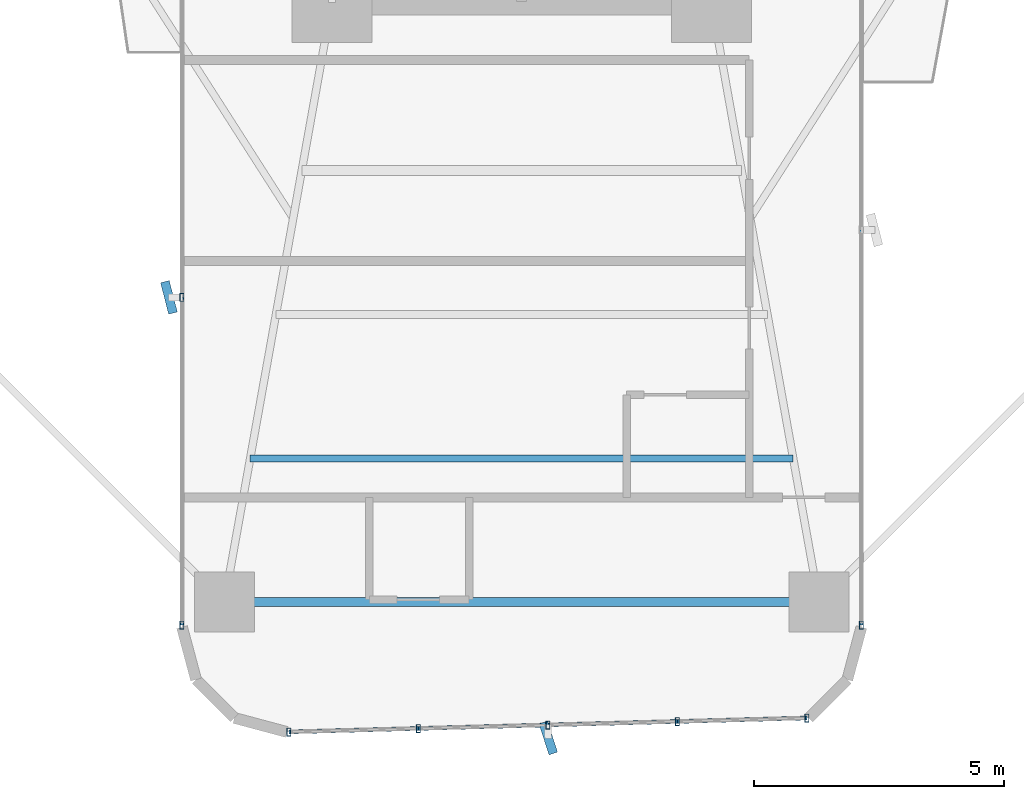
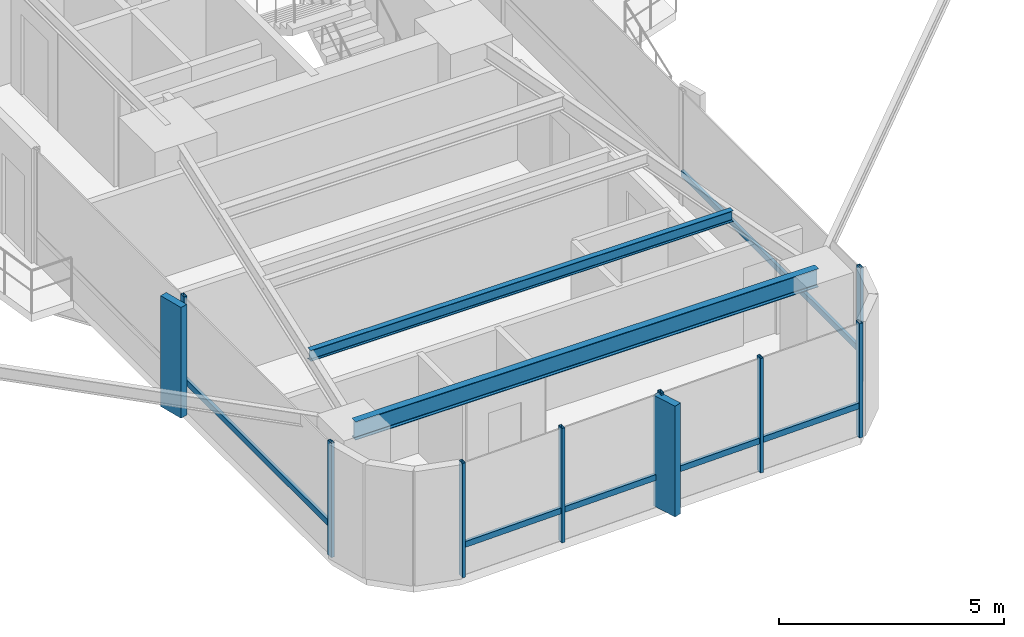
# One storey, part 2 of 25: 16 members, 2 beams, 3 elements without a shape of their own.
"""IFC4 building model written with IfcOpenShell, lengths in metres."""

from ifc_helpers import new_model, si_unit, direction, frame, origin, origin_2d, place, context, subcontext, project, spatial, rectangle, hollow_rectangle, i_section, extrude, source, transform, mapped, material, material_profile, profile_set, type_object, element, aggregate, save


model = new_model("IFC4")

# Units and contexts
model_context = context("Model", 3, precision=1e-05, world=origin(), true_north=direction((0.0, 1.0)))
body_context = subcontext(model_context, "Body", "Model", "MODEL_VIEW")
ifc_project = project(units=[si_unit("LENGTHUNIT", "METRE"), si_unit("AREAUNIT", "SQUARE_METRE"), si_unit("VOLUMEUNIT", "CUBIC_METRE"), si_unit("PLANEANGLEUNIT", "RADIAN"), si_unit("MASSUNIT", "GRAM", prefix="KILO")], contexts=[model_context])

# Site, building, storey
site_placement = place(None, origin())
site = spatial("IfcSite", under=ifc_project, at=site_placement, CompositionType="ELEMENT")
building_placement = place(site_placement, origin())
building = spatial("IfcBuilding", under=site, at=building_placement, Name="Sahyath Konkavel Grand Hotel", CompositionType="ELEMENT")
storey_placement = place(building_placement, frame((0.0, 0.0, 54.39990234375)))
storey = spatial("IfcBuildingStorey", under=building, at=storey_placement, Name="L14", CompositionType="ELEMENT", Elevation=54.39990234375)

# Beams
ifc_material_1 = material(Name="Steel E350", Category="steel")
ifc_material_profile_1 = material_profile(ifc_material_1, i_section(OverallWidth=0.179931640625, OverallDepth=0.5, WebThickness=0.01025390625, FlangeThickness=0.01708984375, FilletRadius=0.01708984375, at=origin_2d()), Name="ISMB 500")
ifc_profile_set_1 = profile_set([ifc_material_profile_1], Name="Steel E350")
beam_type_1 = type_object("IfcBeamType", Name="BM-ISMB500", PredefinedType="BEAM", material=ifc_profile_set_1)
shared_shape_1 = source(origin(), body_context, "Body", "SweptSolid", [
    extrude(i_section(OverallWidth=0.179931640625, OverallDepth=0.5, WebThickness=0.01025390625, FlangeThickness=0.01708984375, FilletRadius=0.01708984375, at=origin_2d()), origin(), (0.0, 0.0, 1.0), 11.89990234375),
])
beam_1_placement = place(storey_placement, frame((-5.949951171875, -22.199951171875, 2.860107421875), z_axis=(1.0, 0.0, 0.0), x_axis=(0.0, 1.0, 0.0)))
element("IfcBeam", 1, at=beam_1_placement, inside=storey, type_object=beam_type_1, Name="L14 Wing Tip Edge Beam S", PredefinedType="BEAM", context=body_context, shape_type="MappedRepresentation", body=[
    mapped(shared_shape_1, transform((0.0, 0.0, 0.0), scale=1.0)),
])
ifc_material_profile_2 = material_profile(ifc_material_1, i_section(OverallWidth=0.139892578125, OverallDepth=0.300048828125, WebThickness=0.0078125, FlangeThickness=0.01318359375, FilletRadius=0.013916015625, at=origin_2d()), Name="ISMB 300")
ifc_profile_set_2 = profile_set([ifc_material_profile_2], Name="Steel E350")
beam_type_2 = type_object("IfcBeamType", Name="BM-ISMB300", PredefinedType="BEAM", material=ifc_profile_set_2)
shared_shape_2 = source(origin(), body_context, "Body", "SweptSolid", [
    extrude(i_section(OverallWidth=0.139892578125, OverallDepth=0.300048828125, WebThickness=0.0078125, FlangeThickness=0.01318359375, FilletRadius=0.013916015625, at=origin_2d()), origin(), (0.0, 0.0, 1.0), 10.8681640625),
])
beam_2_placement = place(storey_placement, frame((-5.43408203125, -19.320068359375, 2.960205078125), z_axis=(1.0, 0.0, 0.0), x_axis=(0.0, 1.0, 0.0)))
element("IfcBeam", 2, at=beam_2_placement, inside=storey, type_object=beam_type_2, Name="L14 Secondary Floor Beam S-3", PredefinedType="BEAM", context=body_context, shape_type="MappedRepresentation", body=[
    mapped(shared_shape_2, transform((0.0, 0.0, 0.0), scale=1.0)),
])

# Curtain wall, member
ifc_material_2 = material(Name="Anodised Bronze Aluminium & Low-E Glazing", Category="aluminium")
curtain_wall_type = type_object("IfcCurtainWallType", Name="CW-ZONE1", PredefinedType="NOTDEFINED", material=ifc_material_2)
curtain_wall_1_placement = place(storey_placement, origin())
curtain_wall_1 = element("IfcCurtainWall", 3, at=curtain_wall_1_placement, inside=storey, type_object=curtain_wall_type, Name="L14 Unitised Curtain Wall F24", PredefinedType="NOTDEFINED")
ifc_material_3 = material(Name="Warm Buff Sandstone Cladding on Concrete C50/60", Category="masonry")
ifc_material_profile_3 = material_profile(ifc_material_3, rectangle(XDim=0.179931640625, YDim=0.64990234375, at=origin_2d()), Name="FIN 180x650")
ifc_profile_set_3 = profile_set([ifc_material_profile_3], Name="Warm Buff Sandstone Cladding on Concrete C50/60")
member_type_1 = type_object("IfcMemberType", Name="FIN-SANDSTONE-650", PredefinedType="MULLION", material=ifc_profile_set_3)
shared_shape_3 = source(origin(), body_context, "Body", "SweptSolid", [
    extrude(rectangle(XDim=0.179931640625, YDim=0.64990234375, at=origin_2d()), origin(), (0.0, 0.0, 1.0), 3.010009765625),
])
member_1_placement = place(storey_placement, frame((-7.06005859375, -16.10009765625, 0.050048828125), z_axis=(0.0, 0.0, 1.0), x_axis=(0.96862655095, 0.248520833726, 0.0)))
member_1 = element("IfcMember", 4, at=member_1_placement, type_object=member_type_1, Name="L14 Sandstone Vertical Solar Fin FIN F24-1", PredefinedType="MULLION", context=body_context, shape_type="MappedRepresentation", body=[
    mapped(shared_shape_3, transform((0.0, 0.0, 0.0), scale=1.0)),
])

curtain_wall_2_placement = place(storey_placement, origin())
curtain_wall_2 = element("IfcCurtainWall", 5, at=curtain_wall_2_placement, inside=storey, type_object=curtain_wall_type, Name="L14 Unitised Curtain Wall F28", PredefinedType="NOTDEFINED")
member_2_placement = place(storey_placement, frame((0.531982421875, -24.919189453125, 0.050048828125), z_axis=(0.0, 0.0, 1.0), x_axis=(0.952022626946, 0.306027642189, 0.0)))
member_2 = element("IfcMember", 6, at=member_2_placement, type_object=member_type_1, Name="L14 Sandstone Vertical Solar Fin FIN F28-2", PredefinedType="MULLION", context=body_context, shape_type="MappedRepresentation", body=[
    mapped(shared_shape_3, transform((0.0, 0.0, 0.0), scale=1.0)),
])

curtain_wall_3_placement = place(storey_placement, origin())
curtain_wall_3 = element("IfcCurtainWall", 7, at=curtain_wall_3_placement, inside=storey, type_object=curtain_wall_type, Name="L14 Unitised Curtain Wall F31", PredefinedType="NOTDEFINED")
ifc_material_4 = material(Name="Anodised Bronze Aluminium", Category="aluminium")
ifc_material_profile_4 = material_profile(ifc_material_4, hollow_rectangle(XDim=0.080078125, YDim=0.159912109375, WallThickness=0.006103515625, at=origin_2d()), Name="RHS 160x80x6")
ifc_profile_set_4 = profile_set([ifc_material_profile_4], Name="Anodised Bronze Aluminium")
member_type_2 = type_object("IfcMemberType", Name="CW-TRN-160", PredefinedType="USERDEFINED", material=ifc_profile_set_4)
shared_shape_4 = source(origin(), body_context, "Body", "SweptSolid", [
    extrude(hollow_rectangle(XDim=0.080078125, YDim=0.159912109375, WallThickness=0.006103515625, at=origin_2d()), origin(), (0.0, 0.0, 1.0), 7.909912109375),
])
member_3_placement = place(storey_placement, frame((6.800048828125, -22.659912109375, 0.85009765625), z_axis=(0.0, 1.0, 0.0), x_axis=(-1.0, 0.0, 0.0)))
member_3 = element("IfcMember", 8, at=member_3_placement, type_object=member_type_2, Name="L14 Curtain Wall Transom F31-0-spandrel", ObjectType="TRANSOM", PredefinedType="USERDEFINED", context=body_context, shape_type="MappedRepresentation", body=[
    mapped(shared_shape_4, transform((0.0, 0.0, 0.0), scale=1.0)),
])

# Member
shared_shape_5 = source(origin(), body_context, "Body", "SweptSolid", [
    extrude(hollow_rectangle(XDim=0.080078125, YDim=0.159912109375, WallThickness=0.006103515625, at=origin_2d()), origin(), (0.0, 0.0, 1.0), 2.593505859375),
])
member_4_placement = place(storey_placement, frame((-4.659912109375, -24.798828125, 0.85009765625), z_axis=(0.999637507825, 0.026923093252, 0.0), x_axis=(-0.026923093252, 0.999637507825, 0.0)))
member_4 = element("IfcMember", 9, at=member_4_placement, type_object=member_type_2, Name="L14 Curtain Wall Transom F28-0-spandrel", ObjectType="TRANSOM", PredefinedType="USERDEFINED", context=body_context, shape_type="MappedRepresentation", body=[
    mapped(shared_shape_5, transform((0.0, 0.0, 0.0), scale=1.0)),
])

member_5_placement = place(storey_placement, frame((0.52490234375, -24.6591796875, 0.85009765625), z_axis=(0.999640036937, 0.02682902444, 0.0), x_axis=(-0.02682902444, 0.999640036937, 0.0)))
member_5 = element("IfcMember", 10, at=member_5_placement, type_object=member_type_2, Name="L14 Curtain Wall Transom F28-2-spandrel", ObjectType="TRANSOM", PredefinedType="USERDEFINED", context=body_context, shape_type="MappedRepresentation", body=[
    mapped(shared_shape_5, transform((0.0, 0.0, 0.0), scale=1.0)),
])

member_6_placement = place(storey_placement, frame((3.117431640625, -24.589599609375, 0.85009765625), z_axis=(0.999637507825, 0.026923093252, 0.0), x_axis=(-0.026923093252, 0.999637507825, 0.0)))
member_6 = element("IfcMember", 11, at=member_6_placement, type_object=member_type_2, Name="L14 Curtain Wall Transom F28-3-spandrel", ObjectType="TRANSOM", PredefinedType="USERDEFINED", context=body_context, shape_type="MappedRepresentation", body=[
    mapped(shared_shape_5, transform((0.0, 0.0, 0.0), scale=1.0)),
])

shared_shape_6 = source(origin(), body_context, "Body", "SweptSolid", [
    extrude(hollow_rectangle(XDim=0.080078125, YDim=0.159912109375, WallThickness=0.006103515625, at=origin_2d()), origin(), (0.0, 0.0, 1.0), 2.59326171875),
])
member_7_placement = place(storey_placement, frame((-2.0673828125, -24.72900390625, 0.85009765625), z_axis=(0.99963743958, 0.026925627022, 0.0), x_axis=(-0.026925627022, 0.99963743958, 0.0)))
member_7 = element("IfcMember", 12, at=member_7_placement, type_object=member_type_2, Name="L14 Curtain Wall Transom F28-1-spandrel", ObjectType="TRANSOM", PredefinedType="USERDEFINED", context=body_context, shape_type="MappedRepresentation", body=[
    mapped(shared_shape_6, transform((0.0, 0.0, 0.0), scale=1.0)),
])

ifc_material_profile_5 = material_profile(ifc_material_4, hollow_rectangle(XDim=0.080078125, YDim=0.159912109375, WallThickness=0.006103515625, at=origin_2d()), Name="RHS 160x80x6")
ifc_profile_set_5 = profile_set([ifc_material_profile_5], Name="Anodised Bronze Aluminium")
member_type_3 = type_object("IfcMemberType", Name="CW-MUL-160", PredefinedType="MULLION", material=ifc_profile_set_5)
shared_shape_7 = source(origin(), body_context, "Body", "SweptSolid", [
    extrude(hollow_rectangle(XDim=0.080078125, YDim=0.159912109375, WallThickness=0.006103515625, at=origin_2d()), origin(), (0.0, 0.0, 1.0), 3.110107421875),
])
member_8_placement = place(storey_placement, frame((-6.800048828125, -16.10009765625, 0.0), z_axis=(0.0, 0.0, 1.0), x_axis=(1.0, 0.0, 0.0)))
member_8 = element("IfcMember", 13, at=member_8_placement, type_object=member_type_3, Name="L14 Curtain Wall Mullion F24-1", PredefinedType="MULLION", context=body_context, shape_type="MappedRepresentation", body=[
    mapped(shared_shape_7, transform((0.0, 0.0, 0.0), scale=1.0)),
])

member_9_placement = place(storey_placement, frame((-6.800048828125, -22.659912109375, 0.0), z_axis=(0.0, 0.0, 1.0), x_axis=(1.0, 0.0, 0.0)))
member_9 = element("IfcMember", 14, at=member_9_placement, type_object=member_type_3, Name="L14 Curtain Wall Mullion F24-2", PredefinedType="MULLION", context=body_context, shape_type="MappedRepresentation", body=[
    mapped(shared_shape_7, transform((0.0, 0.0, 0.0), scale=1.0)),
])

member_10_placement = place(storey_placement, frame((-4.659912109375, -24.798828125, 0.0), z_axis=(0.0, 0.0, 1.0), x_axis=(1.0, 0.0, 0.0)))
member_10 = element("IfcMember", 15, at=member_10_placement, type_object=member_type_3, Name="L14 Curtain Wall Mullion F28-0", PredefinedType="MULLION", context=body_context, shape_type="MappedRepresentation", body=[
    mapped(shared_shape_7, transform((0.0, 0.0, 0.0), scale=1.0)),
])

member_11_placement = place(storey_placement, frame((-2.0673828125, -24.72900390625, 0.0), z_axis=(0.0, 0.0, 1.0), x_axis=(1.0, 0.0, 0.0)))
member_11 = element("IfcMember", 16, at=member_11_placement, type_object=member_type_3, Name="L14 Curtain Wall Mullion F28-1", PredefinedType="MULLION", context=body_context, shape_type="MappedRepresentation", body=[
    mapped(shared_shape_7, transform((0.0, 0.0, 0.0), scale=1.0)),
])

member_12_placement = place(storey_placement, frame((0.52490234375, -24.6591796875, 0.0), z_axis=(0.0, 0.0, 1.0), x_axis=(1.0, 0.0, 0.0)))
member_12 = element("IfcMember", 17, at=member_12_placement, type_object=member_type_3, Name="L14 Curtain Wall Mullion F28-2", PredefinedType="MULLION", context=body_context, shape_type="MappedRepresentation", body=[
    mapped(shared_shape_7, transform((0.0, 0.0, 0.0), scale=1.0)),
])

member_13_placement = place(storey_placement, frame((3.117431640625, -24.589599609375, 0.0), z_axis=(0.0, 0.0, 1.0), x_axis=(1.0, 0.0, 0.0)))
member_13 = element("IfcMember", 18, at=member_13_placement, type_object=member_type_3, Name="L14 Curtain Wall Mullion F28-3", PredefinedType="MULLION", context=body_context, shape_type="MappedRepresentation", body=[
    mapped(shared_shape_7, transform((0.0, 0.0, 0.0), scale=1.0)),
])

member_14_placement = place(storey_placement, frame((5.7099609375, -24.519775390625, 0.0), z_axis=(0.0, 0.0, 1.0), x_axis=(1.0, 0.0, 0.0)))
member_14 = element("IfcMember", 19, at=member_14_placement, type_object=member_type_3, Name="L14 Curtain Wall Mullion F28-4", PredefinedType="MULLION", context=body_context, shape_type="MappedRepresentation", body=[
    mapped(shared_shape_7, transform((0.0, 0.0, 0.0), scale=1.0)),
])

aggregate(curtain_wall_2, [member_10, member_11, member_12, member_2, member_13, member_14, member_4, member_7, member_5, member_6])

member_15_placement = place(storey_placement, frame((6.800048828125, -22.659912109375, 0.0), z_axis=(0.0, 0.0, 1.0), x_axis=(1.0, 0.0, 0.0)))
member_15 = element("IfcMember", 20, at=member_15_placement, type_object=member_type_3, Name="L14 Curtain Wall Mullion F31-0", PredefinedType="MULLION", context=body_context, shape_type="MappedRepresentation", body=[
    mapped(shared_shape_7, transform((0.0, 0.0, 0.0), scale=1.0)),
])

aggregate(curtain_wall_3, [member_15, member_3])

shared_shape_8 = source(origin(), body_context, "Body", "SweptSolid", [
    extrude(hollow_rectangle(XDim=0.080078125, YDim=0.159912109375, WallThickness=0.006103515625, at=origin_2d()), origin(), (0.0, 0.0, 1.0), 6.559814453125),
])
member_16_placement = place(storey_placement, frame((-6.800048828125, -16.10009765625, 0.85009765625), z_axis=(0.0, -1.0, 0.0), x_axis=(1.0, 0.0, 0.0)))
member_16 = element("IfcMember", 21, at=member_16_placement, type_object=member_type_2, Name="L14 Curtain Wall Transom F24-1-spandrel", ObjectType="TRANSOM", PredefinedType="USERDEFINED", context=body_context, shape_type="MappedRepresentation", body=[
    mapped(shared_shape_8, transform((0.0, 0.0, 0.0), scale=1.0)),
])

aggregate(curtain_wall_1, [member_8, member_1, member_9, member_16])

save(model, "model.ifc")
